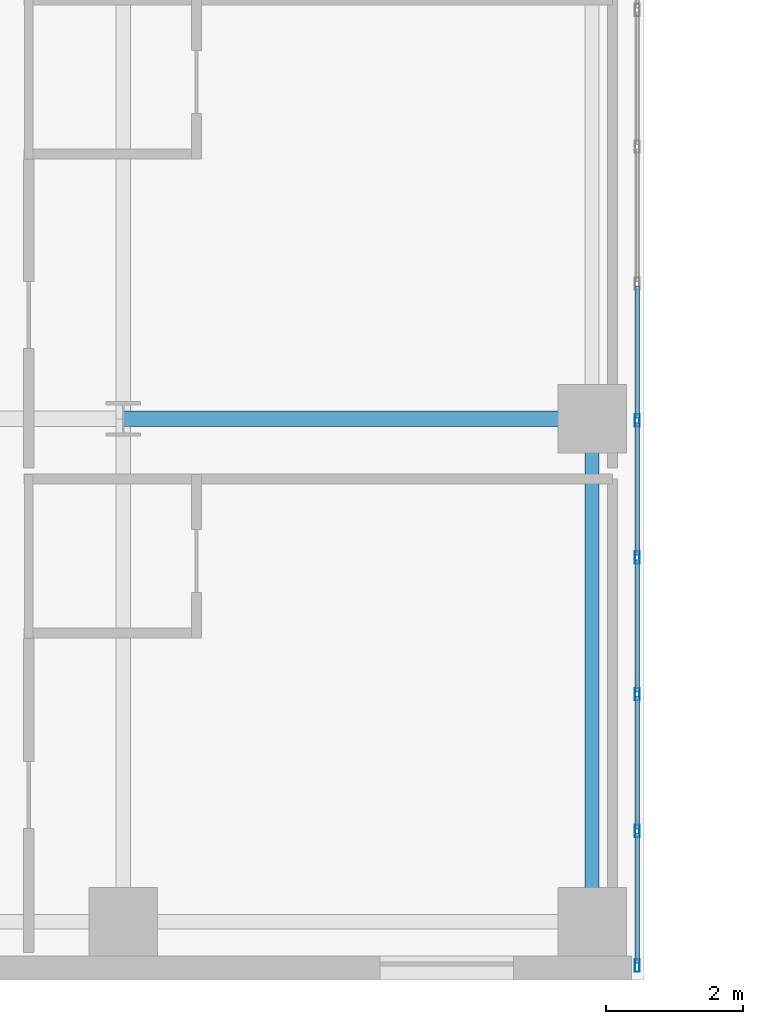
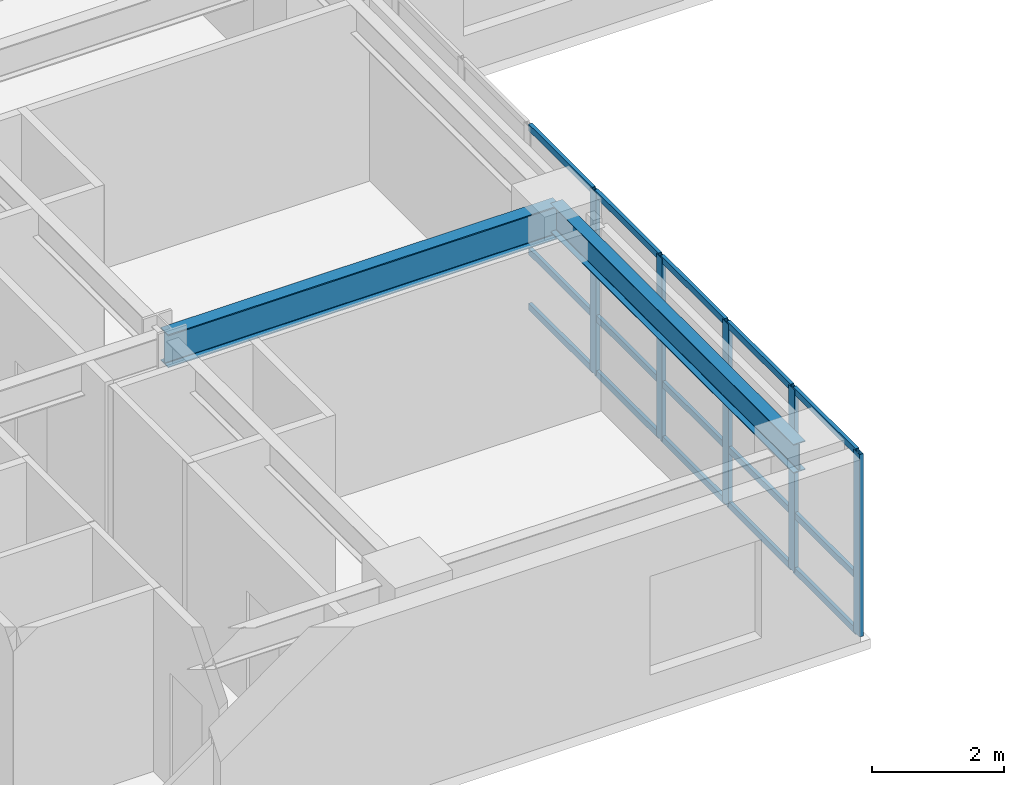
# One storey, part 2 of 17: 20 members, 2 beams, 1 element without a shape of its own.
"""IFC4 building model written with IfcOpenShell, lengths in metres."""

from ifc_helpers import new_model, si_unit, direction, frame, origin, origin_2d, place, context, subcontext, project, spatial, hollow_rectangle, i_section, extrude, source, transform, mapped, material, layer, layer_set, material_profile, profile_set, type_object, type_shapes, element, aggregate, save


model = new_model("IFC4")

# Units and contexts
model_context = context("Model", 3, precision=1e-05, world=origin(), true_north=direction((0.0, 1.0)))
body_context = subcontext(model_context, "Body", "Model", "MODEL_VIEW")
ifc_project = project(units=[si_unit("LENGTHUNIT", "METRE"), si_unit("AREAUNIT", "SQUARE_METRE"), si_unit("VOLUMEUNIT", "CUBIC_METRE"), si_unit("PLANEANGLEUNIT", "RADIAN"), si_unit("MASSUNIT", "GRAM", prefix="KILO")], contexts=[model_context])

# Site, building, storey
site_placement = place(None, origin())
site = spatial("IfcSite", under=ifc_project, at=site_placement, CompositionType="ELEMENT")
building_placement = place(site_placement, origin())
building = spatial("IfcBuilding", under=site, at=building_placement, Name="Tolvann Quenvar Hotel", CompositionType="ELEMENT")
storey_placement = place(building_placement, frame((0.0, 0.0, 35.550048828125)))
storey = spatial("IfcBuildingStorey", under=building, at=storey_placement, Name="L07", CompositionType="ELEMENT", Elevation=35.550048828125)

# Beams
ifc_material_1 = material(Name="Steel Grade 350", Category="steel")
ifc_material_profile_1 = material_profile(ifc_material_1, i_section(OverallWidth=0.22900390625, OverallDepth=0.612060546875, WebThickness=0.011962890625, FlangeThickness=0.01953125, FilletRadius=0.013916015625, at=origin_2d()), Name="610UB125")
ifc_profile_set_1 = profile_set([ifc_material_profile_1], Name="Steel Grade 350")
beam_type_1 = type_object("IfcBeamType", Name="BM_GIRD_610UB125", PredefinedType="BEAM", material=ifc_profile_set_1)
shared_shape_1 = source(origin(), body_context, "Body", "SweptSolid", [
    extrude(i_section(OverallWidth=0.22900390625, OverallDepth=0.612060546875, WebThickness=0.011962890625, FlangeThickness=0.01953125, FilletRadius=0.013916015625, at=origin_2d()), origin(), (0.0, 0.0, 1.0), 6.85009765625),
])
type_shapes(beam_type_1, [shared_shape_1])
beam_1_placement = place(storey_placement, frame((15.199951171875, 8.199951171875, 3.06396484375), z_axis=(1.0, 0.0, 0.0), x_axis=(0.0, 1.0, 0.0)))
element("IfcBeam", 1, at=beam_1_placement, inside=storey, type_object=beam_type_1, Name="BM-L07-EW-3-D3-E3", PredefinedType="BEAM", context=body_context, shape_type="MappedRepresentation", body=[
    mapped(shared_shape_1, transform((0.0, 0.0, 0.0), x_axis=(1.0, 0.0, 0.0), y_axis=(0.0, 1.0, 0.0), z_axis=(0.0, 0.0, 1.0), scale=1.0)),
])
ifc_material_profile_2 = material_profile(ifc_material_1, i_section(OverallWidth=0.208984375, OverallDepth=0.532958984375, WebThickness=0.01025390625, FlangeThickness=0.015625, FilletRadius=0.013916015625, at=origin_2d()), Name="530UB92")
ifc_profile_set_2 = profile_set([ifc_material_profile_2], Name="Steel Grade 350")
beam_type_2 = type_object("IfcBeamType", Name="BM_GIRD_530UB92", PredefinedType="BEAM", material=ifc_profile_set_2)
shared_shape_2 = source(origin(), body_context, "Body", "SweptSolid", [
    extrude(i_section(OverallWidth=0.208984375, OverallDepth=0.532958984375, WebThickness=0.01025390625, FlangeThickness=0.015625, FilletRadius=0.013916015625, at=origin_2d()), origin(), (0.0, 0.0, 1.0), 7.349853515625),
])
type_shapes(beam_type_2, [shared_shape_2])
beam_2_placement = place(storey_placement, frame((22.050048828125, 0.85009765625, 3.103515625), z_axis=(0.0, 1.0, 0.0), x_axis=(-1.0, 0.0, 0.0)))
element("IfcBeam", 2, at=beam_2_placement, inside=storey, type_object=beam_type_2, Name="BM-L07-NS-E2-E3", PredefinedType="BEAM", context=body_context, shape_type="MappedRepresentation", body=[
    mapped(shared_shape_2, transform((0.0, 0.0, 0.0), x_axis=(1.0, 0.0, 0.0), y_axis=(0.0, 1.0, 0.0), z_axis=(0.0, 0.0, 1.0), scale=1.0)),
])

# Curtain wall, members
ifc_material_2 = material(Name="Thermally broken anodised architectural aluminium 6063-T6 and laminated low-E glass", Category="aluminium")
ifc_layer = layer(ifc_material_2, 0.179931640625)
ifc_layer_set = layer_set([ifc_layer], Name="Thermally broken anodised architectural aluminium 6063-T6 and laminated low-E glass")
curtain_wall_type = type_object("IfcCurtainWallType", Name="CW_SYS_SLOT_03", PredefinedType="USERDEFINED", material=ifc_layer_set)
curtain_wall_placement = place(storey_placement, origin())
curtain_wall = element("IfcCurtainWall", 3, at=curtain_wall_placement, inside=storey, type_object=curtain_wall_type, Name="Curtain Wall CW-SLOT-03 (CWR-L07-E05)", ObjectType="UNITISED CURTAIN WALL", PredefinedType="USERDEFINED")
ifc_material_3 = material(Name="Anodised architectural aluminium 6063-T6 framing", Category="aluminium")
ifc_material_profile_3 = material_profile(ifc_material_3, hollow_rectangle(XDim=0.06005859375, YDim=0.1201171875, WallThickness=0.00341796875, at=origin_2d()), Name="120x60x3.5RHS")
ifc_profile_set_3 = profile_set([ifc_material_profile_3], Name="Anodised architectural aluminium 6063-T6 framing")
member_type_1 = type_object("IfcMemberType", Name="CW_TRAN_120x60", PredefinedType="USERDEFINED", material=ifc_profile_set_3)
shared_shape_3 = source(origin(), body_context, "Body", "SweptSolid", [
    extrude(hollow_rectangle(XDim=0.06005859375, YDim=0.1201171875, WallThickness=0.00341796875, at=origin_2d()), origin(), (0.0, 0.0, 1.0), 1.894775390625),
])
member_1_placement = place(storey_placement, frame((22.7099609375, 0.2451171875, 0.030029296875), z_axis=(0.0, 1.0, 0.0), x_axis=(-1.0, 0.0, 0.0)))
member_1 = element("IfcMember", 4, at=member_1_placement, type_object=member_type_1, Name="CW-SLOT-03 transom 1.1", ObjectType="TRANSOM", PredefinedType="USERDEFINED", context=body_context, shape_type="MappedRepresentation", body=[
    mapped(shared_shape_3, transform((0.0, 0.0, 0.0), x_axis=(1.0, 0.0, 0.0), y_axis=(0.0, 1.0, 0.0), z_axis=(0.0, 0.0, 1.0), scale=1.0)),
])
member_2_placement = place(storey_placement, frame((22.7099609375, 0.2451171875, 1.050048828125), z_axis=(0.0, 1.0, 0.0), x_axis=(-1.0, 0.0, 0.0)))
member_2 = element("IfcMember", 5, at=member_2_placement, type_object=member_type_1, Name="CW-SLOT-03 transom 1.2", ObjectType="TRANSOM", PredefinedType="USERDEFINED", context=body_context, shape_type="MappedRepresentation", body=[
    mapped(shared_shape_3, transform((0.0, 0.0, 0.0), x_axis=(1.0, 0.0, 0.0), y_axis=(0.0, 1.0, 0.0), z_axis=(0.0, 0.0, 1.0), scale=1.0)),
])
member_3_placement = place(storey_placement, frame((22.7099609375, 0.2451171875, 3.33984375), z_axis=(0.0, 1.0, 0.0), x_axis=(-1.0, 0.0, 0.0)))
member_3 = element("IfcMember", 6, at=member_3_placement, type_object=member_type_1, Name="CW-SLOT-03 transom 1.3", ObjectType="TRANSOM", PredefinedType="USERDEFINED", context=body_context, shape_type="MappedRepresentation", body=[
    mapped(shared_shape_3, transform((0.0, 0.0, 0.0), x_axis=(1.0, 0.0, 0.0), y_axis=(0.0, 1.0, 0.0), z_axis=(0.0, 0.0, 1.0), scale=1.0)),
])
shared_shape_4 = source(origin(), body_context, "Body", "SweptSolid", [
    extrude(hollow_rectangle(XDim=0.06005859375, YDim=0.1201171875, WallThickness=0.00341796875, at=origin_2d()), origin(), (0.0, 0.0, 1.0), 1.929931640625),
])
type_shapes(member_type_1, [shared_shape_3, shared_shape_4])
member_4_placement = place(storey_placement, frame((22.7099609375, 2.2099609375, 0.030029296875), z_axis=(0.0, 1.0, 0.0), x_axis=(-1.0, 0.0, 0.0)))
member_4 = element("IfcMember", 7, at=member_4_placement, type_object=member_type_1, Name="CW-SLOT-03 transom 2.1", ObjectType="TRANSOM", PredefinedType="USERDEFINED", context=body_context, shape_type="MappedRepresentation", body=[
    mapped(shared_shape_4, transform((0.0, 0.0, 0.0), x_axis=(1.0, 0.0, 0.0), y_axis=(0.0, 1.0, 0.0), z_axis=(0.0, 0.0, 1.0), scale=1.0)),
])
member_5_placement = place(storey_placement, frame((22.7099609375, 2.2099609375, 1.050048828125), z_axis=(0.0, 1.0, 0.0), x_axis=(-1.0, 0.0, 0.0)))
member_5 = element("IfcMember", 8, at=member_5_placement, type_object=member_type_1, Name="CW-SLOT-03 transom 2.2", ObjectType="TRANSOM", PredefinedType="USERDEFINED", context=body_context, shape_type="MappedRepresentation", body=[
    mapped(shared_shape_4, transform((0.0, 0.0, 0.0), x_axis=(1.0, 0.0, 0.0), y_axis=(0.0, 1.0, 0.0), z_axis=(0.0, 0.0, 1.0), scale=1.0)),
])
member_6_placement = place(storey_placement, frame((22.7099609375, 2.2099609375, 3.33984375), z_axis=(0.0, 1.0, 0.0), x_axis=(-1.0, 0.0, 0.0)))
member_6 = element("IfcMember", 9, at=member_6_placement, type_object=member_type_1, Name="CW-SLOT-03 transom 2.3", ObjectType="TRANSOM", PredefinedType="USERDEFINED", context=body_context, shape_type="MappedRepresentation", body=[
    mapped(shared_shape_4, transform((0.0, 0.0, 0.0), x_axis=(1.0, 0.0, 0.0), y_axis=(0.0, 1.0, 0.0), z_axis=(0.0, 0.0, 1.0), scale=1.0)),
])
member_7_placement = place(storey_placement, frame((22.7099609375, 4.2099609375, 0.030029296875), z_axis=(0.0, 1.0, 0.0), x_axis=(-1.0, 0.0, 0.0)))
member_7 = element("IfcMember", 10, at=member_7_placement, type_object=member_type_1, Name="CW-SLOT-03 transom 3.1", ObjectType="TRANSOM", PredefinedType="USERDEFINED", context=body_context, shape_type="MappedRepresentation", body=[
    mapped(shared_shape_4, transform((0.0, 0.0, 0.0), x_axis=(1.0, 0.0, 0.0), y_axis=(0.0, 1.0, 0.0), z_axis=(0.0, 0.0, 1.0), scale=1.0)),
])
member_8_placement = place(storey_placement, frame((22.7099609375, 4.2099609375, 1.050048828125), z_axis=(0.0, 1.0, 0.0), x_axis=(-1.0, 0.0, 0.0)))
member_8 = element("IfcMember", 11, at=member_8_placement, type_object=member_type_1, Name="CW-SLOT-03 transom 3.2", ObjectType="TRANSOM", PredefinedType="USERDEFINED", context=body_context, shape_type="MappedRepresentation", body=[
    mapped(shared_shape_4, transform((0.0, 0.0, 0.0), x_axis=(1.0, 0.0, 0.0), y_axis=(0.0, 1.0, 0.0), z_axis=(0.0, 0.0, 1.0), scale=1.0)),
])
member_9_placement = place(storey_placement, frame((22.7099609375, 4.2099609375, 3.33984375), z_axis=(0.0, 1.0, 0.0), x_axis=(-1.0, 0.0, 0.0)))
member_9 = element("IfcMember", 12, at=member_9_placement, type_object=member_type_1, Name="CW-SLOT-03 transom 3.3", ObjectType="TRANSOM", PredefinedType="USERDEFINED", context=body_context, shape_type="MappedRepresentation", body=[
    mapped(shared_shape_4, transform((0.0, 0.0, 0.0), x_axis=(1.0, 0.0, 0.0), y_axis=(0.0, 1.0, 0.0), z_axis=(0.0, 0.0, 1.0), scale=1.0)),
])
member_10_placement = place(storey_placement, frame((22.7099609375, 6.2099609375, 0.030029296875), z_axis=(0.0, 1.0, 0.0), x_axis=(-1.0, 0.0, 0.0)))
member_10 = element("IfcMember", 13, at=member_10_placement, type_object=member_type_1, Name="CW-SLOT-03 transom 4.1", ObjectType="TRANSOM", PredefinedType="USERDEFINED", context=body_context, shape_type="MappedRepresentation", body=[
    mapped(shared_shape_4, transform((0.0, 0.0, 0.0), x_axis=(1.0, 0.0, 0.0), y_axis=(0.0, 1.0, 0.0), z_axis=(0.0, 0.0, 1.0), scale=1.0)),
])
member_11_placement = place(storey_placement, frame((22.7099609375, 6.2099609375, 1.050048828125), z_axis=(0.0, 1.0, 0.0), x_axis=(-1.0, 0.0, 0.0)))
member_11 = element("IfcMember", 14, at=member_11_placement, type_object=member_type_1, Name="CW-SLOT-03 transom 4.2", ObjectType="TRANSOM", PredefinedType="USERDEFINED", context=body_context, shape_type="MappedRepresentation", body=[
    mapped(shared_shape_4, transform((0.0, 0.0, 0.0), x_axis=(1.0, 0.0, 0.0), y_axis=(0.0, 1.0, 0.0), z_axis=(0.0, 0.0, 1.0), scale=1.0)),
])
member_12_placement = place(storey_placement, frame((22.7099609375, 6.2099609375, 3.33984375), z_axis=(0.0, 1.0, 0.0), x_axis=(-1.0, 0.0, 0.0)))
member_12 = element("IfcMember", 15, at=member_12_placement, type_object=member_type_1, Name="CW-SLOT-03 transom 4.3", ObjectType="TRANSOM", PredefinedType="USERDEFINED", context=body_context, shape_type="MappedRepresentation", body=[
    mapped(shared_shape_4, transform((0.0, 0.0, 0.0), x_axis=(1.0, 0.0, 0.0), y_axis=(0.0, 1.0, 0.0), z_axis=(0.0, 0.0, 1.0), scale=1.0)),
])
member_13_placement = place(storey_placement, frame((22.7099609375, 8.2099609375, 0.030029296875), z_axis=(0.0, 1.0, 0.0), x_axis=(-1.0, 0.0, 0.0)))
member_13 = element("IfcMember", 16, at=member_13_placement, type_object=member_type_1, Name="CW-SLOT-03 transom 5.1", ObjectType="TRANSOM", PredefinedType="USERDEFINED", context=body_context, shape_type="MappedRepresentation", body=[
    mapped(shared_shape_4, transform((0.0, 0.0, 0.0), x_axis=(1.0, 0.0, 0.0), y_axis=(0.0, 1.0, 0.0), z_axis=(0.0, 0.0, 1.0), scale=1.0)),
])
member_14_placement = place(storey_placement, frame((22.7099609375, 8.2099609375, 1.050048828125), z_axis=(0.0, 1.0, 0.0), x_axis=(-1.0, 0.0, 0.0)))
member_14 = element("IfcMember", 17, at=member_14_placement, type_object=member_type_1, Name="CW-SLOT-03 transom 5.2", ObjectType="TRANSOM", PredefinedType="USERDEFINED", context=body_context, shape_type="MappedRepresentation", body=[
    mapped(shared_shape_4, transform((0.0, 0.0, 0.0), x_axis=(1.0, 0.0, 0.0), y_axis=(0.0, 1.0, 0.0), z_axis=(0.0, 0.0, 1.0), scale=1.0)),
])
member_15_placement = place(storey_placement, frame((22.7099609375, 8.2099609375, 3.33984375), z_axis=(0.0, 1.0, 0.0), x_axis=(-1.0, 0.0, 0.0)))
member_15 = element("IfcMember", 18, at=member_15_placement, type_object=member_type_1, Name="CW-SLOT-03 transom 5.3", ObjectType="TRANSOM", PredefinedType="USERDEFINED", context=body_context, shape_type="MappedRepresentation", body=[
    mapped(shared_shape_4, transform((0.0, 0.0, 0.0), x_axis=(1.0, 0.0, 0.0), y_axis=(0.0, 1.0, 0.0), z_axis=(0.0, 0.0, 1.0), scale=1.0)),
])
ifc_material_profile_4 = material_profile(ifc_material_3, hollow_rectangle(XDim=0.070068359375, YDim=0.179931640625, WallThickness=0.00390625, at=origin_2d()), Name="180x70x4RHS")
ifc_profile_set_4 = profile_set([ifc_material_profile_4], Name="Anodised architectural aluminium 6063-T6 framing")
member_type_2 = type_object("IfcMemberType", Name="CW_MULL_180x70", PredefinedType="MULLION", material=ifc_profile_set_4)
shared_shape_5 = source(origin(), body_context, "Body", "SweptSolid", [
    extrude(hollow_rectangle(XDim=0.070068359375, YDim=0.179931640625, WallThickness=0.00390625, at=origin_2d()), origin(), (0.0, 0.0, 1.0), 3.369873046875),
])
type_shapes(member_type_2, [shared_shape_5])
member_16_placement = place(storey_placement, frame((22.7099609375, 0.2099609375, 0.0), z_axis=(0.0, 0.0, 1.0), x_axis=(-1.0, 0.0, 0.0)))
member_16 = element("IfcMember", 19, at=member_16_placement, type_object=member_type_2, Name="CW-SLOT-03 mullion 1", PredefinedType="MULLION", context=body_context, shape_type="MappedRepresentation", body=[
    mapped(shared_shape_5, transform((0.0, 0.0, 0.0), x_axis=(1.0, 0.0, 0.0), y_axis=(0.0, 1.0, 0.0), z_axis=(0.0, 0.0, 1.0), scale=1.0)),
])
member_17_placement = place(storey_placement, frame((22.7099609375, 2.175048828125, 0.0), z_axis=(0.0, 0.0, 1.0), x_axis=(-1.0, 0.0, 0.0)))
member_17 = element("IfcMember", 20, at=member_17_placement, type_object=member_type_2, Name="CW-SLOT-03 mullion 2", PredefinedType="MULLION", context=body_context, shape_type="MappedRepresentation", body=[
    mapped(shared_shape_5, transform((0.0, 0.0, 0.0), x_axis=(1.0, 0.0, 0.0), y_axis=(0.0, 1.0, 0.0), z_axis=(0.0, 0.0, 1.0), scale=1.0)),
])
member_18_placement = place(storey_placement, frame((22.7099609375, 4.175048828125, 0.0), z_axis=(0.0, 0.0, 1.0), x_axis=(-1.0, 0.0, 0.0)))
member_18 = element("IfcMember", 21, at=member_18_placement, type_object=member_type_2, Name="CW-SLOT-03 mullion 3", PredefinedType="MULLION", context=body_context, shape_type="MappedRepresentation", body=[
    mapped(shared_shape_5, transform((0.0, 0.0, 0.0), x_axis=(1.0, 0.0, 0.0), y_axis=(0.0, 1.0, 0.0), z_axis=(0.0, 0.0, 1.0), scale=1.0)),
])
member_19_placement = place(storey_placement, frame((22.7099609375, 6.175048828125, 0.0), z_axis=(0.0, 0.0, 1.0), x_axis=(-1.0, 0.0, 0.0)))
member_19 = element("IfcMember", 22, at=member_19_placement, type_object=member_type_2, Name="CW-SLOT-03 mullion 4", PredefinedType="MULLION", context=body_context, shape_type="MappedRepresentation", body=[
    mapped(shared_shape_5, transform((0.0, 0.0, 0.0), x_axis=(1.0, 0.0, 0.0), y_axis=(0.0, 1.0, 0.0), z_axis=(0.0, 0.0, 1.0), scale=1.0)),
])
member_20_placement = place(storey_placement, frame((22.7099609375, 8.175048828125, 0.0), z_axis=(0.0, 0.0, 1.0), x_axis=(-1.0, 0.0, 0.0)))
member_20 = element("IfcMember", 23, at=member_20_placement, type_object=member_type_2, Name="CW-SLOT-03 mullion 5", PredefinedType="MULLION", context=body_context, shape_type="MappedRepresentation", body=[
    mapped(shared_shape_5, transform((0.0, 0.0, 0.0), x_axis=(1.0, 0.0, 0.0), y_axis=(0.0, 1.0, 0.0), z_axis=(0.0, 0.0, 1.0), scale=1.0)),
])
aggregate(curtain_wall, [member_16, member_17, member_18, member_19, member_20, member_1, member_2, member_3, member_4, member_5, member_6, member_7, member_8, member_9, member_10, member_11, member_12, member_13, member_14, member_15])

save(model, "model.ifc")
